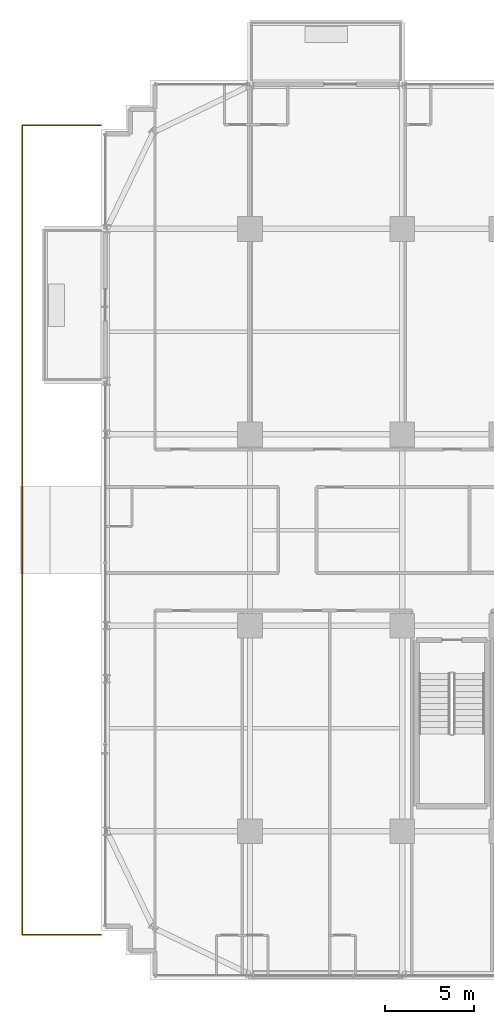
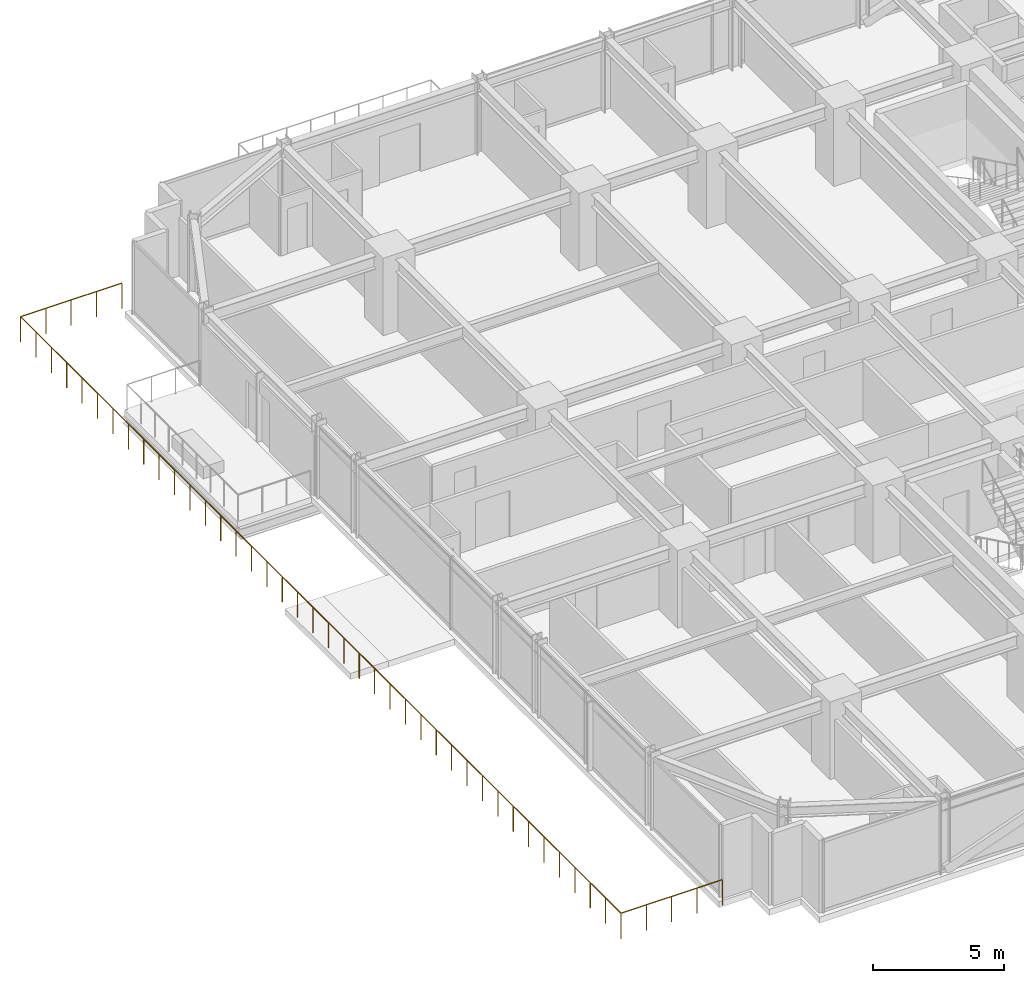
# One storey, part 35 of 39: 1 railing.
"""IFC4 building model written with IfcOpenShell, lengths in metres."""

from ifc_helpers import new_model, si_unit, direction, frame, origin, origin_2d, place, context, subcontext, project, spatial, circle, extrude, material, type_object, element, save


model = new_model("IFC4")

# Units and contexts
model_context = context("Model", 3, precision=1e-05, world=origin(), true_north=direction((0.0, 1.0)))
body_context = subcontext(model_context, "Body", "Model", "MODEL_VIEW")
ifc_project = project(units=[si_unit("LENGTHUNIT", "METRE"), si_unit("AREAUNIT", "SQUARE_METRE"), si_unit("VOLUMEUNIT", "CUBIC_METRE"), si_unit("PLANEANGLEUNIT", "RADIAN"), si_unit("MASSUNIT", "GRAM", prefix="KILO")], contexts=[model_context])

# Site, building, storey
site_placement = place(None, origin())
site = spatial("IfcSite", under=ifc_project, at=site_placement, CompositionType="ELEMENT")
building_placement = place(site_placement, origin())
building = spatial("IfcBuilding", under=site, at=building_placement, Name="Nahalor Promenade Grand Hotel", CompositionType="ELEMENT")
storey_placement = place(building_placement, frame((0.0, 0.0, 32.39990234375)))
storey = spatial("IfcBuildingStorey", under=building, at=storey_placement, Name="L06", CompositionType="ELEMENT", Elevation=32.39990234375)

# Railing
ifc_material = material(Name="Anodised Bronze Aluminium EN AW-6063 T6", Category="aluminium")
railing_type = type_object("IfcRailingType", Name="Bronze Balcony Guardrail 1200 mm", PredefinedType="GUARDRAIL", material=ifc_material)
railing_placement = place(storey_placement, frame((-25.39990234375, -22.85009765625, 0.0)))
element("IfcRailing", 1, at=railing_placement, inside=storey, type_object=railing_type, Name="RL-L06-SBW", PredefinedType="GUARDRAIL", context=body_context, shape_type="SweptSolid", body=[
    extrude(circle(Radius=0.024048, at=origin_2d()), frame((0.0, 0.0, 1.17578125), z_axis=(-1.0, 0.0, 0.0), x_axis=(0.0, -1.0, 0.0)), (0.0, 0.0, 1.0), 4.4482421875),
    extrude(circle(Radius=0.024048, at=origin_2d()), frame((-4.4501953125, 0.001953125, 1.17578125), z_axis=(0.0, 1.0, 0.0), x_axis=(-1.0, 0.0, 0.0)), (0.0, 0.0, 1.0), 45.6962890625),
    extrude(circle(Radius=0.024048, at=origin_2d()), frame((-4.4482421875, 45.7001953125, 1.17578125), z_axis=(1.0, 0.0, 0.0), x_axis=(0.0, 1.0, 0.0)), (0.0, 0.0, 1.0), 4.4482421875),
    extrude(circle(Radius=0.020996, at=origin_2d()), origin(), (0.0, 0.0, 1.0), 1.14990234375),
    extrude(circle(Radius=0.020996, at=origin_2d()), frame((-1.112548828125, 0.0, 0.0)), (0.0, 0.0, 1.0), 1.14990234375),
    extrude(circle(Radius=0.020996, at=origin_2d()), frame((-2.22509765625, 0.0, 0.0)), (0.0, 0.0, 1.0), 1.14990234375),
    extrude(circle(Radius=0.020996, at=origin_2d()), frame((-3.337646484375, 0.0, 0.0)), (0.0, 0.0, 1.0), 1.14990234375),
    extrude(circle(Radius=0.020996, at=origin_2d()), frame((-4.4501953125, 0.0, 0.0)), (0.0, 0.0, 1.0), 1.14990234375),
    extrude(circle(Radius=0.020996, at=origin_2d()), frame((-4.4501953125, 1.171875, 0.0)), (0.0, 0.0, 1.0), 1.14990234375),
    extrude(circle(Radius=0.020996, at=origin_2d()), frame((-4.4501953125, 2.343505859375, 0.0)), (0.0, 0.0, 1.0), 1.14990234375),
    extrude(circle(Radius=0.020996, at=origin_2d()), frame((-4.4501953125, 3.515380859375, 0.0)), (0.0, 0.0, 1.0), 1.14990234375),
    extrude(circle(Radius=0.020996, at=origin_2d()), frame((-4.4501953125, 4.687255859375, 0.0)), (0.0, 0.0, 1.0), 1.14990234375),
    extrude(circle(Radius=0.020996, at=origin_2d()), frame((-4.4501953125, 5.85888671875, 0.0)), (0.0, 0.0, 1.0), 1.14990234375),
    extrude(circle(Radius=0.020996, at=origin_2d()), frame((-4.4501953125, 7.03076171875, 0.0)), (0.0, 0.0, 1.0), 1.14990234375),
    extrude(circle(Radius=0.020996, at=origin_2d()), frame((-4.4501953125, 8.20263671875, 0.0)), (0.0, 0.0, 1.0), 1.14990234375),
    extrude(circle(Radius=0.020996, at=origin_2d()), frame((-4.4501953125, 9.37451171875, 0.0)), (0.0, 0.0, 1.0), 1.14990234375),
    extrude(circle(Radius=0.020996, at=origin_2d()), frame((-4.4501953125, 10.546142578125, 0.0)), (0.0, 0.0, 1.0), 1.14990234375),
    extrude(circle(Radius=0.020996, at=origin_2d()), frame((-4.4501953125, 11.718017578125, 0.0)), (0.0, 0.0, 1.0), 1.14990234375),
    extrude(circle(Radius=0.020996, at=origin_2d()), frame((-4.4501953125, 12.889892578125, 0.0)), (0.0, 0.0, 1.0), 1.14990234375),
    extrude(circle(Radius=0.020996, at=origin_2d()), frame((-4.4501953125, 14.0615234375, 0.0)), (0.0, 0.0, 1.0), 1.14990234375),
    extrude(circle(Radius=0.020996, at=origin_2d()), frame((-4.4501953125, 15.2333984375, 0.0)), (0.0, 0.0, 1.0), 1.14990234375),
    extrude(circle(Radius=0.020996, at=origin_2d()), frame((-4.4501953125, 16.4052734375, 0.0)), (0.0, 0.0, 1.0), 1.14990234375),
    extrude(circle(Radius=0.020996, at=origin_2d()), frame((-4.4501953125, 17.576904296875, 0.0)), (0.0, 0.0, 1.0), 1.14990234375),
    extrude(circle(Radius=0.020996, at=origin_2d()), frame((-4.4501953125, 18.748779296875, 0.0)), (0.0, 0.0, 1.0), 1.14990234375),
    extrude(circle(Radius=0.020996, at=origin_2d()), frame((-4.4501953125, 19.920654296875, 0.0)), (0.0, 0.0, 1.0), 1.14990234375),
    extrude(circle(Radius=0.020996, at=origin_2d()), frame((-4.4501953125, 21.09228515625, 0.0)), (0.0, 0.0, 1.0), 1.14990234375),
    extrude(circle(Radius=0.020996, at=origin_2d()), frame((-4.4501953125, 22.26416015625, 0.0)), (0.0, 0.0, 1.0), 1.14990234375),
    extrude(circle(Radius=0.020996, at=origin_2d()), frame((-4.4501953125, 23.43603515625, 0.0)), (0.0, 0.0, 1.0), 1.14990234375),
    extrude(circle(Radius=0.020996, at=origin_2d()), frame((-4.4501953125, 24.60791015625, 0.0)), (0.0, 0.0, 1.0), 1.14990234375),
    extrude(circle(Radius=0.020996, at=origin_2d()), frame((-4.4501953125, 25.779541015625, 0.0)), (0.0, 0.0, 1.0), 1.14990234375),
    extrude(circle(Radius=0.020996, at=origin_2d()), frame((-4.4501953125, 26.951416015625, 0.0)), (0.0, 0.0, 1.0), 1.14990234375),
    extrude(circle(Radius=0.020996, at=origin_2d()), frame((-4.4501953125, 28.123291015625, 0.0)), (0.0, 0.0, 1.0), 1.14990234375),
    extrude(circle(Radius=0.020996, at=origin_2d()), frame((-4.4501953125, 29.294921875, 0.0)), (0.0, 0.0, 1.0), 1.14990234375),
    extrude(circle(Radius=0.020996, at=origin_2d()), frame((-4.4501953125, 30.466796875, 0.0)), (0.0, 0.0, 1.0), 1.14990234375),
    extrude(circle(Radius=0.020996, at=origin_2d()), frame((-4.4501953125, 31.638671875, 0.0)), (0.0, 0.0, 1.0), 1.14990234375),
    extrude(circle(Radius=0.020996, at=origin_2d()), frame((-4.4501953125, 32.810302734375, 0.0)), (0.0, 0.0, 1.0), 1.14990234375),
    extrude(circle(Radius=0.020996, at=origin_2d()), frame((-4.4501953125, 33.982177734375, 0.0)), (0.0, 0.0, 1.0), 1.14990234375),
    extrude(circle(Radius=0.020996, at=origin_2d()), frame((-4.4501953125, 35.154052734375, 0.0)), (0.0, 0.0, 1.0), 1.14990234375),
    extrude(circle(Radius=0.020996, at=origin_2d()), frame((-4.4501953125, 36.32568359375, 0.0)), (0.0, 0.0, 1.0), 1.14990234375),
    extrude(circle(Radius=0.020996, at=origin_2d()), frame((-4.4501953125, 37.49755859375, 0.0)), (0.0, 0.0, 1.0), 1.14990234375),
    extrude(circle(Radius=0.020996, at=origin_2d()), frame((-4.4501953125, 38.66943359375, 0.0)), (0.0, 0.0, 1.0), 1.14990234375),
    extrude(circle(Radius=0.020996, at=origin_2d()), frame((-4.4501953125, 39.84130859375, 0.0)), (0.0, 0.0, 1.0), 1.14990234375),
    extrude(circle(Radius=0.020996, at=origin_2d()), frame((-4.4501953125, 41.012939453125, 0.0)), (0.0, 0.0, 1.0), 1.14990234375),
    extrude(circle(Radius=0.020996, at=origin_2d()), frame((-4.4501953125, 42.184814453125, 0.0)), (0.0, 0.0, 1.0), 1.14990234375),
    extrude(circle(Radius=0.020996, at=origin_2d()), frame((-4.4501953125, 43.356689453125, 0.0)), (0.0, 0.0, 1.0), 1.14990234375),
    extrude(circle(Radius=0.020996, at=origin_2d()), frame((-4.4501953125, 44.5283203125, 0.0)), (0.0, 0.0, 1.0), 1.14990234375),
    extrude(circle(Radius=0.020996, at=origin_2d()), frame((-4.4501953125, 45.7001953125, 0.0)), (0.0, 0.0, 1.0), 1.14990234375),
    extrude(circle(Radius=0.020996, at=origin_2d()), frame((-3.337646484375, 45.7001953125, 0.0)), (0.0, 0.0, 1.0), 1.14990234375),
    extrude(circle(Radius=0.020996, at=origin_2d()), frame((-2.22509765625, 45.7001953125, 0.0)), (0.0, 0.0, 1.0), 1.14990234375),
    extrude(circle(Radius=0.020996, at=origin_2d()), frame((-1.112548828125, 45.7001953125, 0.0)), (0.0, 0.0, 1.0), 1.14990234375),
    extrude(circle(Radius=0.020996, at=origin_2d()), frame((0.0, 45.7001953125, 0.0)), (0.0, 0.0, 1.0), 1.14990234375),
])

save(model, "model.ifc")
